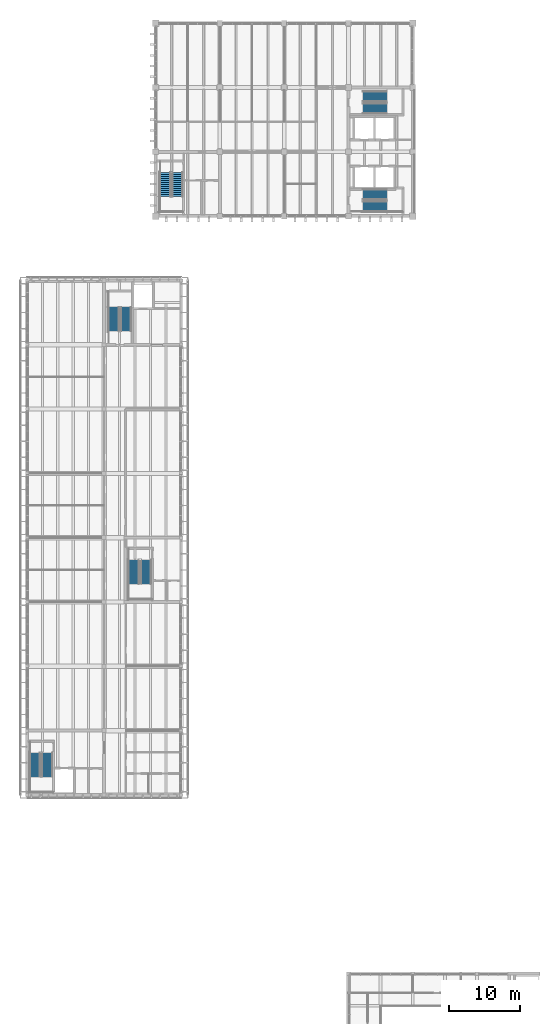
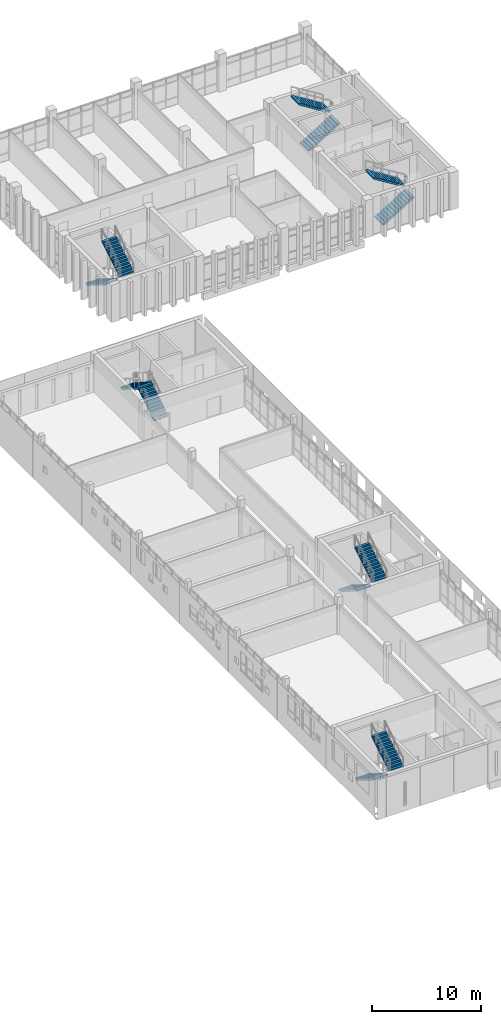
# One storey, part 36 of 50: 12 stair flights, 6 elements without a shape of their own.
"""IFC4 building model written with IfcOpenShell, lengths in metres."""

from ifc_helpers import new_model, si_unit, direction, frame, origin, place, context, subcontext, project, spatial, polyline, outline, extrude, material, type_object, element, aggregate, save


model = new_model("IFC4")

# Units and contexts
model_context = context("Model", 3, precision=1e-05, world=origin(), true_north=direction((0.0, 1.0)))
body_context = subcontext(model_context, "Body", "Model", "MODEL_VIEW")
ifc_project = project(units=[si_unit("LENGTHUNIT", "METRE"), si_unit("AREAUNIT", "SQUARE_METRE"), si_unit("VOLUMEUNIT", "CUBIC_METRE"), si_unit("PLANEANGLEUNIT", "RADIAN"), si_unit("MASSUNIT", "GRAM", prefix="KILO")], contexts=[model_context])

# Site, building, storey
site_placement = place(None, origin())
site = spatial("IfcSite", under=ifc_project, at=site_placement, CompositionType="ELEMENT")
building_placement = place(site_placement, origin())
building = spatial("IfcBuilding", under=site, at=building_placement, Name="Merrow Basin Faculty of Sciences", CompositionType="ELEMENT")
storey_placement = place(building_placement, frame((0.0, 0.0, 18.0)))
storey = spatial("IfcBuildingStorey", under=building, at=storey_placement, Name="L04", CompositionType="ELEMENT", Elevation=18.0)

# Stair, stair flights
ifc_material_1 = material(Name="Concrete C40/50", Category="concrete")
stair_type = type_object("IfcStairType", Name="Concrete dog-leg stair Concrete C40/50", PredefinedType="HALF_TURN_STAIR", material=ifc_material_1)
stair_1_placement = place(storey_placement, origin())
stair_1 = element("IfcStair", 1, at=stair_1_placement, inside=storey, type_object=stair_type, Name="L04 Exit stair S", PredefinedType="HALF_TURN_STAIR")
ifc_material_2 = material(Name="Concrete C40/50", Category="concrete")
stair_flight_type = type_object("IfcStairFlightType", Name="Concrete stair flight Concrete C40/50", PredefinedType="STRAIGHT", material=ifc_material_2)
stair_flight_1_placement = place(storey_placement, frame((1.14990234375, 66.89990234375, 0.0), z_axis=(0.0, 0.0, 1.0), x_axis=(0.0, -1.0, 0.0)))
stair_flight_1 = element("IfcStairFlight", 2, at=stair_flight_1_placement, type_object=stair_flight_type, Name="ST-V4-S flight 1", NumberOfRisers=13, NumberOfTreads=12, PredefinedType="STRAIGHT", RiserHeight=0.173076923, TreadLength=0.28, context=body_context, shape_type="SweptSolid", body=[
    extrude(outline(polyline([(0.0, 0.0), (0.0, 0.173095703125), (0.280029296875, 0.173095703125), (0.280029296875, 0.34619140625), (0.56005859375, 0.34619140625), (0.56005859375, 0.519287109375), (0.840087890625, 0.519287109375), (0.840087890625, 0.6923828125), (1.1201171875, 0.6923828125), (1.1201171875, 0.865478515625), (1.39990234375, 0.865478515625), (1.39990234375, 1.03857421875), (1.679931640625, 1.03857421875), (1.679931640625, 1.21142578125), (1.9599609375, 1.21142578125), (1.9599609375, 1.384521484375), (2.239990234375, 1.384521484375), (2.239990234375, 1.5576171875), (2.52001953125, 1.5576171875), (2.52001953125, 1.730712890625), (2.800048828125, 1.730712890625), (2.800048828125, 1.90380859375), (3.080078125, 1.90380859375), (3.080078125, 2.076904296875), (3.360107421875, 2.076904296875), (3.360107421875, 2.25), (3.360107421875, 1.900634765625), (0.28515625, 0.0), (0.0, 0.0)])), frame((0.0, 0.75, 0.0), z_axis=(0.0, -1.0, 0.0), x_axis=(1.0, 0.0, 0.0)), (0.0, 0.0, 1.0), 1.5),
])
stair_flight_2_placement = place(storey_placement, frame((2.85009765625, 63.5400390625, 2.25), z_axis=(0.0, 0.0, 1.0), x_axis=(0.0, 1.0, 0.0)))
stair_flight_2 = element("IfcStairFlight", 3, at=stair_flight_2_placement, type_object=stair_flight_type, Name="ST-V4-S flight 2", NumberOfRisers=13, NumberOfTreads=12, PredefinedType="STRAIGHT", RiserHeight=0.173076923, TreadLength=0.28, context=body_context, shape_type="SweptSolid", body=[
    extrude(outline(polyline([(0.0, 0.0), (0.0, 0.173095703125), (0.280029296875, 0.173095703125), (0.280029296875, 0.34619140625), (0.56005859375, 0.34619140625), (0.56005859375, 0.519287109375), (0.840087890625, 0.519287109375), (0.840087890625, 0.6923828125), (1.1201171875, 0.6923828125), (1.1201171875, 0.865478515625), (1.39990234375, 0.865478515625), (1.39990234375, 1.03857421875), (1.679931640625, 1.03857421875), (1.679931640625, 1.21142578125), (1.9599609375, 1.21142578125), (1.9599609375, 1.384521484375), (2.239990234375, 1.384521484375), (2.239990234375, 1.5576171875), (2.52001953125, 1.5576171875), (2.52001953125, 1.730712890625), (2.800048828125, 1.730712890625), (2.800048828125, 1.90380859375), (3.080078125, 1.90380859375), (3.080078125, 2.076904296875), (3.360107421875, 2.076904296875), (3.360107421875, 2.25), (3.360107421875, 1.900634765625), (0.28515625, 0.0), (0.0, 0.0)])), frame((0.0, 0.75, 0.0), z_axis=(0.0, -1.0, 0.0), x_axis=(1.0, 0.0, 0.0)), (0.0, 0.0, 1.0), 1.5),
])
aggregate(stair_1, [stair_flight_1, stair_flight_2])

stair_2_placement = place(storey_placement, origin())
stair_2 = element("IfcStair", 4, at=stair_2_placement, inside=storey, type_object=stair_type, Name="L04 Exit stair M", PredefinedType="HALF_TURN_STAIR")
stair_flight_3_placement = place(storey_placement, frame((14.949951171875, 93.89990234375, 0.0), z_axis=(0.0, 0.0, 1.0), x_axis=(0.0, -1.0, 0.0)))
stair_flight_3 = element("IfcStairFlight", 5, at=stair_flight_3_placement, type_object=stair_flight_type, Name="ST-V4-M flight 1", NumberOfRisers=13, NumberOfTreads=12, PredefinedType="STRAIGHT", RiserHeight=0.173076923, TreadLength=0.28, context=body_context, shape_type="SweptSolid", body=[
    extrude(outline(polyline([(0.0, 0.0), (0.0, 0.173095703125), (0.280029296875, 0.173095703125), (0.280029296875, 0.34619140625), (0.56005859375, 0.34619140625), (0.56005859375, 0.519287109375), (0.840087890625, 0.519287109375), (0.840087890625, 0.6923828125), (1.1201171875, 0.6923828125), (1.1201171875, 0.865478515625), (1.39990234375, 0.865478515625), (1.39990234375, 1.03857421875), (1.679931640625, 1.03857421875), (1.679931640625, 1.21142578125), (1.9599609375, 1.21142578125), (1.9599609375, 1.384521484375), (2.239990234375, 1.384521484375), (2.239990234375, 1.5576171875), (2.52001953125, 1.5576171875), (2.52001953125, 1.730712890625), (2.800048828125, 1.730712890625), (2.800048828125, 1.90380859375), (3.080078125, 1.90380859375), (3.080078125, 2.076904296875), (3.360107421875, 2.076904296875), (3.360107421875, 2.25), (3.360107421875, 1.900634765625), (0.28515625, 0.0), (0.0, 0.0)])), frame((0.0, 0.75, 0.0), z_axis=(0.0, -1.0, 0.0), x_axis=(1.0, 0.0, 0.0)), (0.0, 0.0, 1.0), 1.5),
])
stair_flight_4_placement = place(storey_placement, frame((16.64990234375, 90.5400390625, 2.25), z_axis=(0.0, 0.0, 1.0), x_axis=(0.0, 1.0, 0.0)))
stair_flight_4 = element("IfcStairFlight", 6, at=stair_flight_4_placement, type_object=stair_flight_type, Name="ST-V4-M flight 2", NumberOfRisers=13, NumberOfTreads=12, PredefinedType="STRAIGHT", RiserHeight=0.173076923, TreadLength=0.28, context=body_context, shape_type="SweptSolid", body=[
    extrude(outline(polyline([(0.0, 0.0), (0.0, 0.173095703125), (0.280029296875, 0.173095703125), (0.280029296875, 0.34619140625), (0.56005859375, 0.34619140625), (0.56005859375, 0.519287109375), (0.840087890625, 0.519287109375), (0.840087890625, 0.6923828125), (1.1201171875, 0.6923828125), (1.1201171875, 0.865478515625), (1.39990234375, 0.865478515625), (1.39990234375, 1.03857421875), (1.679931640625, 1.03857421875), (1.679931640625, 1.21142578125), (1.9599609375, 1.21142578125), (1.9599609375, 1.384521484375), (2.239990234375, 1.384521484375), (2.239990234375, 1.5576171875), (2.52001953125, 1.5576171875), (2.52001953125, 1.730712890625), (2.800048828125, 1.730712890625), (2.800048828125, 1.90380859375), (3.080078125, 1.90380859375), (3.080078125, 2.076904296875), (3.360107421875, 2.076904296875), (3.360107421875, 2.25), (3.360107421875, 1.900634765625), (0.28515625, 0.0), (0.0, 0.0)])), frame((0.0, 0.75, 0.0), z_axis=(0.0, -1.0, 0.0), x_axis=(1.0, 0.0, 0.0)), (0.0, 0.0, 1.0), 1.5),
])
aggregate(stair_2, [stair_flight_3, stair_flight_4])

stair_3_placement = place(storey_placement, origin())
stair_3 = element("IfcStair", 7, at=stair_3_placement, inside=storey, type_object=stair_type, Name="L04 Exit stair N", PredefinedType="HALF_TURN_STAIR")
stair_flight_5_placement = place(storey_placement, frame((13.85009765625, 125.89990234375, 0.0), z_axis=(0.0, 0.0, 1.0), x_axis=(0.0, 1.0, 0.0)))
stair_flight_5 = element("IfcStairFlight", 8, at=stair_flight_5_placement, type_object=stair_flight_type, Name="ST-V4-N flight 1", NumberOfRisers=13, NumberOfTreads=12, PredefinedType="STRAIGHT", RiserHeight=0.173076923, TreadLength=0.28, context=body_context, shape_type="SweptSolid", body=[
    extrude(outline(polyline([(0.0, 0.0), (0.0, 0.173095703125), (0.280029296875, 0.173095703125), (0.280029296875, 0.34619140625), (0.56005859375, 0.34619140625), (0.56005859375, 0.519287109375), (0.840087890625, 0.519287109375), (0.840087890625, 0.6923828125), (1.1201171875, 0.6923828125), (1.1201171875, 0.865478515625), (1.39990234375, 0.865478515625), (1.39990234375, 1.03857421875), (1.679931640625, 1.03857421875), (1.679931640625, 1.21142578125), (1.9599609375, 1.21142578125), (1.9599609375, 1.384521484375), (2.239990234375, 1.384521484375), (2.239990234375, 1.5576171875), (2.52001953125, 1.5576171875), (2.52001953125, 1.730712890625), (2.800048828125, 1.730712890625), (2.800048828125, 1.90380859375), (3.080078125, 1.90380859375), (3.080078125, 2.076904296875), (3.360107421875, 2.076904296875), (3.360107421875, 2.25), (3.360107421875, 1.900634765625), (0.28515625, 0.0), (0.0, 0.0)])), frame((0.0, 0.75, 0.0), z_axis=(0.0, -1.0, 0.0), x_axis=(1.0, 0.0, 0.0)), (0.0, 0.0, 1.0), 1.5),
])
stair_flight_6_placement = place(storey_placement, frame((12.14990234375, 129.260009765625, 2.25), z_axis=(0.0, 0.0, 1.0), x_axis=(0.0, -1.0, 0.0)))
stair_flight_6 = element("IfcStairFlight", 9, at=stair_flight_6_placement, type_object=stair_flight_type, Name="ST-V4-N flight 2", NumberOfRisers=13, NumberOfTreads=12, PredefinedType="STRAIGHT", RiserHeight=0.173076923, TreadLength=0.28, context=body_context, shape_type="SweptSolid", body=[
    extrude(outline(polyline([(0.0, 0.0), (0.0, 0.173095703125), (0.280029296875, 0.173095703125), (0.280029296875, 0.34619140625), (0.56005859375, 0.34619140625), (0.56005859375, 0.519287109375), (0.840087890625, 0.519287109375), (0.840087890625, 0.6923828125), (1.1201171875, 0.6923828125), (1.1201171875, 0.865478515625), (1.39990234375, 0.865478515625), (1.39990234375, 1.03857421875), (1.679931640625, 1.03857421875), (1.679931640625, 1.21142578125), (1.9599609375, 1.21142578125), (1.9599609375, 1.384521484375), (2.239990234375, 1.384521484375), (2.239990234375, 1.5576171875), (2.52001953125, 1.5576171875), (2.52001953125, 1.730712890625), (2.800048828125, 1.730712890625), (2.800048828125, 1.90380859375), (3.080078125, 1.90380859375), (3.080078125, 2.076904296875), (3.360107421875, 2.076904296875), (3.360107421875, 2.25), (3.360107421875, 1.900634765625), (0.28515625, 0.0), (0.0, 0.0)])), frame((0.0, 0.75, 0.0), z_axis=(0.0, -1.0, 0.0), x_axis=(1.0, 0.0, 0.0)), (0.0, 0.0, 1.0), 1.5),
])
aggregate(stair_3, [stair_flight_5, stair_flight_6])

stair_4_placement = place(storey_placement, origin())
stair_4 = element("IfcStair", 10, at=stair_4_placement, inside=storey, type_object=stair_type, Name="L04 Exit stair S", PredefinedType="HALF_TURN_STAIR")
stair_flight_7_placement = place(storey_placement, frame((47.0, 157.050048828125, 0.0), z_axis=(0.0, 0.0, 1.0), x_axis=(1.0, 0.0, 0.0)))
stair_flight_7 = element("IfcStairFlight", 11, at=stair_flight_7_placement, type_object=stair_flight_type, Name="ST-V5-S flight 1", NumberOfRisers=13, NumberOfTreads=12, PredefinedType="STRAIGHT", RiserHeight=0.173076923, TreadLength=0.28, context=body_context, shape_type="SweptSolid", body=[
    extrude(outline(polyline([(0.0, 0.0), (0.0, 0.173095703125), (0.280029296875, 0.173095703125), (0.280029296875, 0.34619140625), (0.56005859375, 0.34619140625), (0.56005859375, 0.519287109375), (0.840087890625, 0.519287109375), (0.840087890625, 0.6923828125), (1.1201171875, 0.6923828125), (1.1201171875, 0.865478515625), (1.39990234375, 0.865478515625), (1.39990234375, 1.03857421875), (1.679931640625, 1.03857421875), (1.679931640625, 1.21142578125), (1.9599609375, 1.21142578125), (1.9599609375, 1.384521484375), (2.239990234375, 1.384521484375), (2.239990234375, 1.5576171875), (2.52001953125, 1.5576171875), (2.52001953125, 1.730712890625), (2.800048828125, 1.730712890625), (2.800048828125, 1.90380859375), (3.080078125, 1.90380859375), (3.080078125, 2.076904296875), (3.360107421875, 2.076904296875), (3.360107421875, 2.25), (3.360107421875, 1.900634765625), (0.28515625, 0.0), (0.0, 0.0)])), frame((0.0, 0.75, 0.0), z_axis=(0.0, -1.0, 0.0), x_axis=(1.0, 0.0, 0.0)), (0.0, 0.0, 1.0), 1.5),
])
stair_flight_8_placement = place(storey_placement, frame((50.360107421875, 158.75, 2.25), z_axis=(0.0, 0.0, 1.0), x_axis=(-1.0, 0.0, 0.0)))
stair_flight_8 = element("IfcStairFlight", 12, at=stair_flight_8_placement, type_object=stair_flight_type, Name="ST-V5-S flight 2", NumberOfRisers=13, NumberOfTreads=12, PredefinedType="STRAIGHT", RiserHeight=0.173076923, TreadLength=0.28, context=body_context, shape_type="SweptSolid", body=[
    extrude(outline(polyline([(0.0, 0.0), (0.0, 0.173095703125), (0.280029296875, 0.173095703125), (0.280029296875, 0.34619140625), (0.56005859375, 0.34619140625), (0.56005859375, 0.519287109375), (0.840087890625, 0.519287109375), (0.840087890625, 0.6923828125), (1.1201171875, 0.6923828125), (1.1201171875, 0.865478515625), (1.39990234375, 0.865478515625), (1.39990234375, 1.03857421875), (1.679931640625, 1.03857421875), (1.679931640625, 1.21142578125), (1.9599609375, 1.21142578125), (1.9599609375, 1.384521484375), (2.239990234375, 1.384521484375), (2.239990234375, 1.5576171875), (2.52001953125, 1.5576171875), (2.52001953125, 1.730712890625), (2.800048828125, 1.730712890625), (2.800048828125, 1.90380859375), (3.080078125, 1.90380859375), (3.080078125, 2.076904296875), (3.360107421875, 2.076904296875), (3.360107421875, 2.25), (3.360107421875, 1.900634765625), (0.28515625, 0.0), (0.0, 0.0)])), frame((0.0, 0.75, 0.0), z_axis=(0.0, -1.0, 0.0), x_axis=(1.0, 0.0, 0.0)), (0.0, 0.0, 1.0), 1.5),
])
aggregate(stair_4, [stair_flight_7, stair_flight_8])

stair_5_placement = place(storey_placement, origin())
stair_5 = element("IfcStair", 13, at=stair_5_placement, inside=storey, type_object=stair_type, Name="L04 Exit stair N", PredefinedType="HALF_TURN_STAIR")
stair_flight_9_placement = place(storey_placement, frame((47.0, 143.35009765625, 0.0), z_axis=(0.0, 0.0, 1.0), x_axis=(1.0, 0.0, 0.0)))
stair_flight_9 = element("IfcStairFlight", 14, at=stair_flight_9_placement, type_object=stair_flight_type, Name="ST-V5-N flight 1", NumberOfRisers=13, NumberOfTreads=12, PredefinedType="STRAIGHT", RiserHeight=0.173076923, TreadLength=0.28, context=body_context, shape_type="SweptSolid", body=[
    extrude(outline(polyline([(0.0, 0.0), (0.0, 0.173095703125), (0.280029296875, 0.173095703125), (0.280029296875, 0.34619140625), (0.56005859375, 0.34619140625), (0.56005859375, 0.519287109375), (0.840087890625, 0.519287109375), (0.840087890625, 0.6923828125), (1.1201171875, 0.6923828125), (1.1201171875, 0.865478515625), (1.39990234375, 0.865478515625), (1.39990234375, 1.03857421875), (1.679931640625, 1.03857421875), (1.679931640625, 1.21142578125), (1.9599609375, 1.21142578125), (1.9599609375, 1.384521484375), (2.239990234375, 1.384521484375), (2.239990234375, 1.5576171875), (2.52001953125, 1.5576171875), (2.52001953125, 1.730712890625), (2.800048828125, 1.730712890625), (2.800048828125, 1.90380859375), (3.080078125, 1.90380859375), (3.080078125, 2.076904296875), (3.360107421875, 2.076904296875), (3.360107421875, 2.25), (3.360107421875, 1.900634765625), (0.28515625, 0.0), (0.0, 0.0)])), frame((0.0, 0.75, 0.0), z_axis=(0.0, -1.0, 0.0), x_axis=(1.0, 0.0, 0.0)), (0.0, 0.0, 1.0), 1.5),
])
stair_flight_10_placement = place(storey_placement, frame((50.360107421875, 145.050048828125, 2.25), z_axis=(0.0, 0.0, 1.0), x_axis=(-1.0, 0.0, 0.0)))
stair_flight_10 = element("IfcStairFlight", 15, at=stair_flight_10_placement, type_object=stair_flight_type, Name="ST-V5-N flight 2", NumberOfRisers=13, NumberOfTreads=12, PredefinedType="STRAIGHT", RiserHeight=0.173076923, TreadLength=0.28, context=body_context, shape_type="SweptSolid", body=[
    extrude(outline(polyline([(0.0, 0.0), (0.0, 0.173095703125), (0.280029296875, 0.173095703125), (0.280029296875, 0.34619140625), (0.56005859375, 0.34619140625), (0.56005859375, 0.519287109375), (0.840087890625, 0.519287109375), (0.840087890625, 0.6923828125), (1.1201171875, 0.6923828125), (1.1201171875, 0.865478515625), (1.39990234375, 0.865478515625), (1.39990234375, 1.03857421875), (1.679931640625, 1.03857421875), (1.679931640625, 1.21142578125), (1.9599609375, 1.21142578125), (1.9599609375, 1.384521484375), (2.239990234375, 1.384521484375), (2.239990234375, 1.5576171875), (2.52001953125, 1.5576171875), (2.52001953125, 1.730712890625), (2.800048828125, 1.730712890625), (2.800048828125, 1.90380859375), (3.080078125, 1.90380859375), (3.080078125, 2.076904296875), (3.360107421875, 2.076904296875), (3.360107421875, 2.25), (3.360107421875, 1.900634765625), (0.28515625, 0.0), (0.0, 0.0)])), frame((0.0, 0.75, 0.0), z_axis=(0.0, -1.0, 0.0), x_axis=(1.0, 0.0, 0.0)), (0.0, 0.0, 1.0), 1.5),
])
aggregate(stair_5, [stair_flight_9, stair_flight_10])

stair_6_placement = place(storey_placement, origin())
stair_6 = element("IfcStair", 16, at=stair_6_placement, inside=storey, type_object=stair_type, Name="L04 Exit stair W", PredefinedType="HALF_TURN_STAIR")
stair_flight_11_placement = place(storey_placement, frame((19.35009765625, 148.10009765625, 0.0), z_axis=(0.0, 0.0, 1.0), x_axis=(0.0, -1.0, 0.0)))
stair_flight_11 = element("IfcStairFlight", 17, at=stair_flight_11_placement, type_object=stair_flight_type, Name="ST-V5-W flight 1", NumberOfRisers=13, NumberOfTreads=12, PredefinedType="STRAIGHT", RiserHeight=0.173076923, TreadLength=0.28, context=body_context, shape_type="SweptSolid", body=[
    extrude(outline(polyline([(0.0, 0.0), (0.0, 0.173095703125), (0.280029296875, 0.173095703125), (0.280029296875, 0.34619140625), (0.56005859375, 0.34619140625), (0.56005859375, 0.519287109375), (0.840087890625, 0.519287109375), (0.840087890625, 0.6923828125), (1.1201171875, 0.6923828125), (1.1201171875, 0.865478515625), (1.39990234375, 0.865478515625), (1.39990234375, 1.03857421875), (1.679931640625, 1.03857421875), (1.679931640625, 1.21142578125), (1.9599609375, 1.21142578125), (1.9599609375, 1.384521484375), (2.239990234375, 1.384521484375), (2.239990234375, 1.5576171875), (2.52001953125, 1.5576171875), (2.52001953125, 1.730712890625), (2.800048828125, 1.730712890625), (2.800048828125, 1.90380859375), (3.080078125, 1.90380859375), (3.080078125, 2.076904296875), (3.360107421875, 2.076904296875), (3.360107421875, 2.25), (3.360107421875, 1.900634765625), (0.28515625, 0.0), (0.0, 0.0)])), frame((0.0, 0.75, 0.0), z_axis=(0.0, -1.0, 0.0), x_axis=(1.0, 0.0, 0.0)), (0.0, 0.0, 1.0), 1.5),
])
stair_flight_12_placement = place(storey_placement, frame((21.050048828125, 144.739990234375, 2.25), z_axis=(0.0, 0.0, 1.0), x_axis=(0.0, 1.0, 0.0)))
stair_flight_12 = element("IfcStairFlight", 18, at=stair_flight_12_placement, type_object=stair_flight_type, Name="ST-V5-W flight 2", NumberOfRisers=13, NumberOfTreads=12, PredefinedType="STRAIGHT", RiserHeight=0.173076923, TreadLength=0.28, context=body_context, shape_type="SweptSolid", body=[
    extrude(outline(polyline([(0.0, 0.0), (0.0, 0.173095703125), (0.280029296875, 0.173095703125), (0.280029296875, 0.34619140625), (0.56005859375, 0.34619140625), (0.56005859375, 0.519287109375), (0.840087890625, 0.519287109375), (0.840087890625, 0.6923828125), (1.1201171875, 0.6923828125), (1.1201171875, 0.865478515625), (1.39990234375, 0.865478515625), (1.39990234375, 1.03857421875), (1.679931640625, 1.03857421875), (1.679931640625, 1.21142578125), (1.9599609375, 1.21142578125), (1.9599609375, 1.384521484375), (2.239990234375, 1.384521484375), (2.239990234375, 1.5576171875), (2.52001953125, 1.5576171875), (2.52001953125, 1.730712890625), (2.800048828125, 1.730712890625), (2.800048828125, 1.90380859375), (3.080078125, 1.90380859375), (3.080078125, 2.076904296875), (3.360107421875, 2.076904296875), (3.360107421875, 2.25), (3.360107421875, 1.900634765625), (0.28515625, 0.0), (0.0, 0.0)])), frame((0.0, 0.75, 0.0), z_axis=(0.0, -1.0, 0.0), x_axis=(1.0, 0.0, 0.0)), (0.0, 0.0, 1.0), 1.5),
])
aggregate(stair_6, [stair_flight_11, stair_flight_12])

save(model, "model.ifc")
